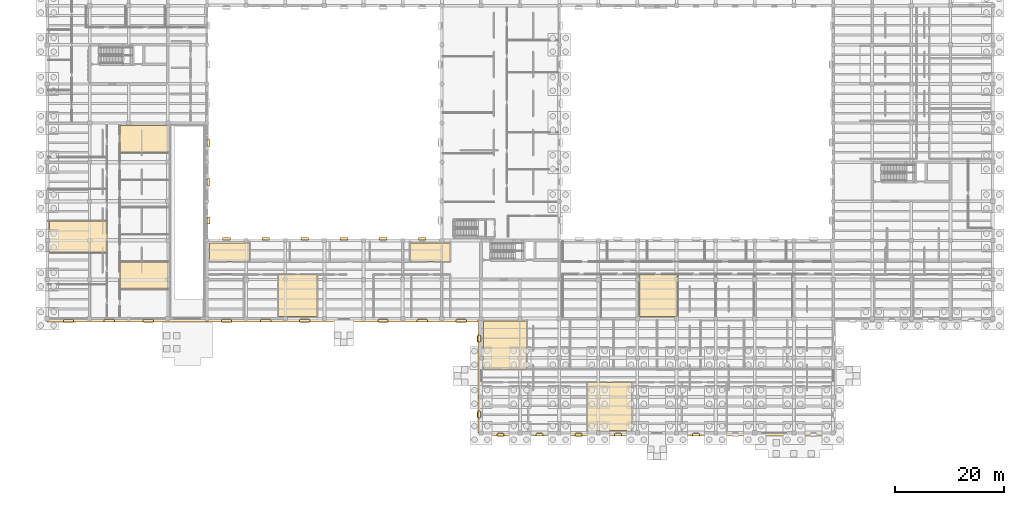
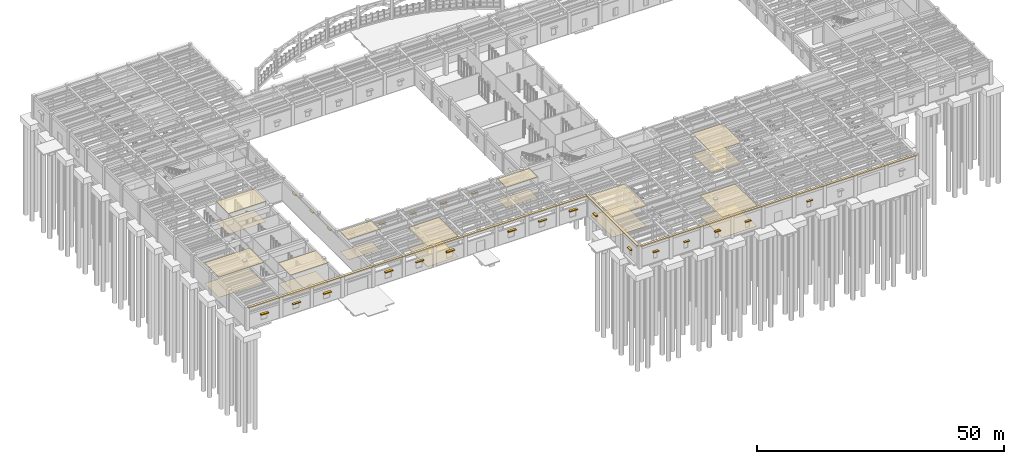
# One storey, part 90 of 100: 47 coverings, 10 shading devices.
"""IFC4 building model written with IfcOpenShell, lengths in metres."""

from ifc_helpers import new_model, si_unit, direction, frame, origin, origin_2d, place, context, subcontext, project, spatial, polyline, rectangle, outline, extrude, material, layer, layer_set, type_object, element, save


model = new_model("IFC4")

# Units and contexts
model_context = context("Model", 3, precision=1e-05, world=origin(), true_north=direction((0.0, 1.0)))
body_context = subcontext(model_context, "Body", "Model", "MODEL_VIEW")
ifc_project = project(units=[si_unit("LENGTHUNIT", "METRE"), si_unit("AREAUNIT", "SQUARE_METRE"), si_unit("VOLUMEUNIT", "CUBIC_METRE"), si_unit("PLANEANGLEUNIT", "RADIAN"), si_unit("MASSUNIT", "GRAM", prefix="KILO")], contexts=[model_context])

# Site, building, storey
site_placement = place(None, origin())
site = spatial("IfcSite", under=ifc_project, at=site_placement, CompositionType="ELEMENT")
building_placement = place(site_placement, origin())
building = spatial("IfcBuilding", under=site, at=building_placement, Name="Mithqara Police Headquarters", CompositionType="ELEMENT")
storey_placement = place(building_placement, origin())
storey = spatial("IfcBuildingStorey", under=building, at=storey_placement, Name="L00", CompositionType="ELEMENT", Elevation=0.0)

# Coverings
ifc_material_1 = material(Name="Acoustic mineral-fibre ceiling tile", Category="gypsum")
ifc_layer_1 = layer(ifc_material_1, 0.02490234375, Name="Acoustic mineral-fibre ceiling tile")
ifc_layer_set_1 = layer_set([ifc_layer_1], Name="Acoustic mineral-fibre ceiling tile")
covering_type_1 = type_object("IfcCoveringType", Name="ACOUSTIC CEILING TILE", PredefinedType="CEILING", material=ifc_layer_set_1)
covering_1_placement = place(storey_placement, frame((0.0, 0.0, 5.094970703125)))
element("IfcCovering", 1, at=covering_1_placement, inside=storey, type_object=covering_type_1, Name="First Aid Treatment Room Acoustic Ceiling", PredefinedType="CEILING", context=body_context, shape_type="SweptSolid", body=[
    extrude(outline(polyline([(0.43994140625, 33.159912109375), (10.969970703125, 33.159912109375), (10.969970703125, 38.97998046875), (0.43994140625, 38.97998046875), (0.43994140625, 33.159912109375)])), origin(), (0.0, 0.0, 1.0), 0.025146484375),
])
covering_2_placement = place(storey_placement, frame((0.0, 0.0, 5.094970703125)))
element("IfcCovering", 2, at=covering_2_placement, inside=storey, type_object=covering_type_1, Name="K9 Handler Readiness Room Acoustic Ceiling", PredefinedType="CEILING", context=body_context, shape_type="SweptSolid", body=[
    extrude(outline(polyline([(13.35009765625, 26.462890625), (22.179931640625, 26.462890625), (22.179931640625, 31.446044921875), (13.35009765625, 31.446044921875), (13.35009765625, 26.462890625)])), origin(), (0.0, 0.0, 1.0), 0.025146484375),
])
covering_3_placement = place(storey_placement, frame((0.0, 0.0, 5.094970703125)))
element("IfcCovering", 3, at=covering_3_placement, inside=storey, type_object=covering_type_1, Name="Tactical Equipment Room Acoustic Ceiling", PredefinedType="CEILING", context=body_context, shape_type="SweptSolid", body=[
    extrude(outline(polyline([(13.35009765625, 51.576904296875), (22.179931640625, 51.576904296875), (22.179931640625, 56.56005859375), (13.35009765625, 56.56005859375), (13.35009765625, 51.576904296875)])), origin(), (0.0, 0.0, 1.0), 0.025146484375),
])
covering_4_placement = place(storey_placement, frame((0.0, 0.0, 5.094970703125)))
element("IfcCovering", 4, at=covering_4_placement, inside=storey, type_object=covering_type_1, Name="Witness Reception Room Acoustic Ceiling", PredefinedType="CEILING", context=body_context, shape_type="SweptSolid", body=[
    extrude(outline(polyline([(108.964111328125, 21.43994140625), (115.970947265625, 21.43994140625), (115.970947265625, 29.1298828125), (108.964111328125, 29.1298828125), (108.964111328125, 21.43994140625)])), origin(), (0.0, 0.0, 1.0), 0.025146484375),
])
covering_5_placement = place(storey_placement, frame((0.0, 0.0, 5.094970703125)))
element("IfcCovering", 5, at=covering_5_placement, inside=storey, type_object=covering_type_1, Name="Witness Reception Room Acoustic Ceiling", PredefinedType="CEILING", context=body_context, shape_type="SweptSolid", body=[
    extrude(outline(polyline([(42.506103515625, 21.43994140625), (49.64892578125, 21.43994140625), (49.64892578125, 29.1298828125), (42.506103515625, 29.1298828125), (42.506103515625, 21.43994140625)])), origin(), (0.0, 0.0, 1.0), 0.025146484375),
])
covering_6_placement = place(storey_placement, frame((0.0, 0.0, 5.094970703125)))
element("IfcCovering", 6, at=covering_6_placement, inside=storey, type_object=covering_type_1, Name="Victim Support Consultation Room Acoustic Ceiling", PredefinedType="CEILING", context=body_context, shape_type="SweptSolid", body=[
    extrude(outline(polyline([(29.840087890625, 31.510009765625), (37.18798828125, 31.510009765625), (37.18798828125, 34.9599609375), (29.840087890625, 34.9599609375), (29.840087890625, 31.510009765625)])), origin(), (0.0, 0.0, 1.0), 0.025146484375),
])
covering_7_placement = place(storey_placement, frame((0.0, 0.0, 5.094970703125)))
element("IfcCovering", 7, at=covering_7_placement, inside=storey, type_object=covering_type_1, Name="Lost and Found Counter Acoustic Ceiling", PredefinedType="CEILING", context=body_context, shape_type="SweptSolid", body=[
    extrude(outline(polyline([(66.781982421875, 31.510009765625), (74.1298828125, 31.510009765625), (74.1298828125, 34.9599609375), (66.781982421875, 34.9599609375), (66.781982421875, 31.510009765625)])), origin(), (0.0, 0.0, 1.0), 0.025146484375),
])
covering_8_placement = place(storey_placement, frame((0.0, 0.0, 5.094970703125)))
element("IfcCovering", 8, at=covering_8_placement, inside=storey, type_object=covering_type_1, Name="Custody Booking Desk Acoustic Ceiling", PredefinedType="CEILING", context=body_context, shape_type="SweptSolid", body=[
    extrude(outline(polyline([(99.364013671875, 0.43994140625), (107.611083984375, 0.43994140625), (107.611083984375, 9.31005859375), (99.364013671875, 9.31005859375), (99.364013671875, 0.43994140625)])), origin(), (0.0, 0.0, 1.0), 0.025146484375),
])
covering_9_placement = place(storey_placement, frame((0.0, 0.0, 5.094970703125)))
element("IfcCovering", 9, at=covering_9_placement, inside=storey, type_object=covering_type_1, Name="Custody Suite Acoustic Ceiling", PredefinedType="CEILING", context=body_context, shape_type="SweptSolid", body=[
    extrude(outline(polyline([(80.239990234375, 11.68994140625), (88.195068359375, 11.68994140625), (88.195068359375, 20.56005859375), (80.239990234375, 20.56005859375), (80.239990234375, 11.68994140625)])), origin(), (0.0, 0.0, 1.0), 0.025146484375),
])
ifc_material_2 = material(Name="Limestone ashlar masonry, 45 MPa", Category="masonry")
ifc_layer_2 = layer(ifc_material_2, 0.320068359375, Name="Limestone ashlar masonry, 45 MPa")
ifc_layer_set_2 = layer_set([ifc_layer_2], Name="Limestone ashlar masonry, 45 MPa")
covering_type_2 = type_object("IfcCoveringType", Name="CORNICE LIMESTONE", PredefinedType="CLADDING", material=ifc_layer_set_2)
covering_10_placement = place(storey_placement, frame((79.52001953125, 10.5, 5.1201171875), z_axis=(0.0, 0.0, 1.0), x_axis=(0.0, 1.0, 0.0)))
element("IfcCovering", 10, at=covering_10_placement, inside=storey, type_object=covering_type_2, Name="L00 Projecting Ottoman Limestone Eaves Cornice 1", PredefinedType="CLADDING", context=body_context, shape_type="SweptSolid", body=[
    extrude(rectangle(XDim=21.0, YDim=0.56005859375, at=origin_2d()), origin(), (0.0, 0.0, 1.0), 0.280029296875),
])
covering_11_placement = place(storey_placement, frame((112.199951171875, -0.280029296875, 5.1201171875), z_axis=(0.0, 0.0, 1.0), x_axis=(1.0, 0.0, 0.0)))
element("IfcCovering", 11, at=covering_11_placement, inside=storey, type_object=covering_type_2, Name="L00 Projecting Ottoman Limestone Eaves Cornice 2", PredefinedType="CLADDING", context=body_context, shape_type="SweptSolid", body=[
    extrude(rectangle(XDim=64.800048828125, YDim=0.56005859375, at=origin_2d()), origin(), (0.0, 0.0, 1.0), 0.280029296875),
])
covering_12_placement = place(storey_placement, frame((14.699951171875, 20.719970703125, 5.1201171875), z_axis=(0.0, 0.0, 1.0), x_axis=(1.0, 0.0, 0.0)))
element("IfcCovering", 12, at=covering_12_placement, inside=storey, type_object=covering_type_2, Name="L00 Projecting Ottoman Limestone Eaves Cornice 13", PredefinedType="CLADDING", context=body_context, shape_type="SweptSolid", body=[
    extrude(rectangle(XDim=29.39990234375, YDim=0.56005859375, at=origin_2d()), origin(), (0.0, 0.0, 1.0), 0.280029296875),
])
covering_13_placement = place(storey_placement, frame((54.60009765625, 20.719970703125, 5.1201171875), z_axis=(0.0, 0.0, 1.0), x_axis=(1.0, 0.0, 0.0)))
element("IfcCovering", 13, at=covering_13_placement, inside=storey, type_object=covering_type_2, Name="L00 Projecting Ottoman Limestone Eaves Cornice 14", PredefinedType="CLADDING", context=body_context, shape_type="SweptSolid", body=[
    extrude(rectangle(XDim=50.39990234375, YDim=0.56005859375, at=origin_2d()), origin(), (0.0, 0.0, 1.0), 0.280029296875),
])

# Shading devices
ifc_material_3 = material(Name="Bronze anodised aluminium 6063-T6", Category="aluminium")
shading_device_type = type_object("IfcShadingDeviceType", Name="SOLAR LOUVRE BRONZE", PredefinedType="JALOUSIE", material=ifc_material_3)
for number, where, z_axis, x_axis, name in (
    (14, (79.389892578125, 3.3798828125, 2.58984375), (0.0, 0.0, 1.0), (0.0, 1.0, 0.0), "L00 Window Solar Louvre Hood 1.1"),
    (15, (79.389892578125, 17.320068359375, 2.58984375), (0.0, 0.0, 1.0), (0.0, 1.0, 0.0), "L00 Window Solar Louvre Hood 1.3"),
    (16, (83.39990234375, -0.409912109375, 2.83984375), (0.0, 0.0, 1.0), (1.0, 0.0, 0.0), "L00 Window Solar Louvre Hood 2.1"),
    (17, (97.800048828125, -0.409912109375, 2.83984375), (0.0, 0.0, 1.0), (1.0, 0.0, 0.0), "L00 Window Solar Louvre Hood 2.3"),
):
    element("IfcShadingDevice", number, at=place(storey_placement, frame(where, z_axis=z_axis, x_axis=x_axis)), inside=storey, type_object=shading_device_type, Name=name, PredefinedType="JALOUSIE", context=body_context, shape_type="SweptSolid", body=[
        extrude(rectangle(XDim=1.14990234375, YDim=0.60009765625, at=origin_2d()), origin(), (0.0, 0.0, 1.0), 0.10009765625),
    ])
for number, where, z_axis, x_axis, name in (
    (18, (3.89990234375, 20.590087890625, 2.58984375), (0.0, 0.0, 1.0), (1.0, 0.0, 0.0), "L00 Window Solar Louvre Hood 17.1"),
    (19, (18.60009765625, 20.590087890625, 2.58984375), (0.0, 0.0, 1.0), (1.0, 0.0, 0.0), "L00 Window Solar Louvre Hood 17.3"),
    (20, (33.0, 20.590087890625, 2.83984375), (0.0, 0.0, 1.0), (1.0, 0.0, 0.0), "L00 Window Solar Louvre Hood 18.1"),
    (21, (47.39990234375, 20.590087890625, 2.83984375), (0.0, 0.0, 1.0), (1.0, 0.0, 0.0), "L00 Window Solar Louvre Hood 18.3"),
    (22, (61.800048828125, 20.590087890625, 2.83984375), (0.0, 0.0, 1.0), (1.0, 0.0, 0.0), "L00 Window Solar Louvre Hood 18.5"),
    (23, (76.199951171875, 20.590087890625, 2.83984375), (0.0, 0.0, 1.0), (1.0, 0.0, 0.0), "L00 Window Solar Louvre Hood 18.7"),
):
    element("IfcShadingDevice", number, at=place(storey_placement, frame(where, z_axis=z_axis, x_axis=x_axis)), inside=storey, type_object=shading_device_type, Name=name, PredefinedType="JALOUSIE", context=body_context, shape_type="SweptSolid", body=[
        extrude(rectangle(XDim=1.75, YDim=0.60009765625, at=origin_2d()), origin(), (0.0, 0.0, 1.0), 0.10009765625),
    ])

# Coverings
ifc_material_4 = material(Name="Polished limestone terrazzo flooring", Category="masonry")
ifc_layer_3 = layer(ifc_material_4, 0.02001953125, Name="Polished limestone terrazzo flooring")
ifc_layer_set_3 = layer_set([ifc_layer_3], Name="Polished limestone terrazzo flooring")
covering_type_3 = type_object("IfcCoveringType", Name="TERRAZZO FLOOR FINISH", PredefinedType="FLOORING", material=ifc_layer_set_3)
covering_14_placement = place(storey_placement, origin())
element("IfcCovering", 24, at=covering_14_placement, inside=storey, type_object=covering_type_3, Name="First Aid Treatment Room Terrazzo Floor Finish", PredefinedType="FLOORING", context=body_context, shape_type="SweptSolid", body=[
    extrude(outline(polyline([(0.43994140625, 33.159912109375), (10.969970703125, 33.159912109375), (10.969970703125, 38.97998046875), (0.43994140625, 38.97998046875), (0.43994140625, 33.159912109375)])), origin(), (0.0, 0.0, 1.0), 0.02001953125),
])
covering_15_placement = place(storey_placement, origin())
element("IfcCovering", 25, at=covering_15_placement, inside=storey, type_object=covering_type_3, Name="K9 Handler Readiness Room Terrazzo Floor Finish", PredefinedType="FLOORING", context=body_context, shape_type="SweptSolid", body=[
    extrude(outline(polyline([(13.35009765625, 26.462890625), (22.179931640625, 26.462890625), (22.179931640625, 31.446044921875), (13.35009765625, 31.446044921875), (13.35009765625, 26.462890625)])), origin(), (0.0, 0.0, 1.0), 0.02001953125),
])
covering_16_placement = place(storey_placement, origin())
element("IfcCovering", 26, at=covering_16_placement, inside=storey, type_object=covering_type_3, Name="Tactical Equipment Room Terrazzo Floor Finish", PredefinedType="FLOORING", context=body_context, shape_type="SweptSolid", body=[
    extrude(outline(polyline([(13.35009765625, 51.576904296875), (22.179931640625, 51.576904296875), (22.179931640625, 56.56005859375), (13.35009765625, 56.56005859375), (13.35009765625, 51.576904296875)])), origin(), (0.0, 0.0, 1.0), 0.02001953125),
])
covering_17_placement = place(storey_placement, origin())
element("IfcCovering", 27, at=covering_17_placement, inside=storey, type_object=covering_type_3, Name="Witness Reception Room Terrazzo Floor Finish", PredefinedType="FLOORING", context=body_context, shape_type="SweptSolid", body=[
    extrude(outline(polyline([(108.964111328125, 21.43994140625), (115.970947265625, 21.43994140625), (115.970947265625, 29.1298828125), (108.964111328125, 29.1298828125), (108.964111328125, 21.43994140625)])), origin(), (0.0, 0.0, 1.0), 0.02001953125),
])
covering_18_placement = place(storey_placement, origin())
element("IfcCovering", 28, at=covering_18_placement, inside=storey, type_object=covering_type_3, Name="Witness Reception Room Terrazzo Floor Finish", PredefinedType="FLOORING", context=body_context, shape_type="SweptSolid", body=[
    extrude(outline(polyline([(42.506103515625, 21.43994140625), (49.64892578125, 21.43994140625), (49.64892578125, 29.1298828125), (42.506103515625, 29.1298828125), (42.506103515625, 21.43994140625)])), origin(), (0.0, 0.0, 1.0), 0.02001953125),
])
covering_19_placement = place(storey_placement, origin())
element("IfcCovering", 29, at=covering_19_placement, inside=storey, type_object=covering_type_3, Name="Victim Support Consultation Room Terrazzo Floor Finish", PredefinedType="FLOORING", context=body_context, shape_type="SweptSolid", body=[
    extrude(outline(polyline([(29.840087890625, 31.510009765625), (37.18798828125, 31.510009765625), (37.18798828125, 34.9599609375), (29.840087890625, 34.9599609375), (29.840087890625, 31.510009765625)])), origin(), (0.0, 0.0, 1.0), 0.02001953125),
])
covering_20_placement = place(storey_placement, origin())
element("IfcCovering", 30, at=covering_20_placement, inside=storey, type_object=covering_type_3, Name="Lost and Found Counter Terrazzo Floor Finish", PredefinedType="FLOORING", context=body_context, shape_type="SweptSolid", body=[
    extrude(outline(polyline([(66.781982421875, 31.510009765625), (74.1298828125, 31.510009765625), (74.1298828125, 34.9599609375), (66.781982421875, 34.9599609375), (66.781982421875, 31.510009765625)])), origin(), (0.0, 0.0, 1.0), 0.02001953125),
])
covering_21_placement = place(storey_placement, origin())
element("IfcCovering", 31, at=covering_21_placement, inside=storey, type_object=covering_type_3, Name="Custody Booking Desk Terrazzo Floor Finish", PredefinedType="FLOORING", context=body_context, shape_type="SweptSolid", body=[
    extrude(outline(polyline([(99.364013671875, 0.43994140625), (107.611083984375, 0.43994140625), (107.611083984375, 9.31005859375), (99.364013671875, 9.31005859375), (99.364013671875, 0.43994140625)])), origin(), (0.0, 0.0, 1.0), 0.02001953125),
])
covering_22_placement = place(storey_placement, origin())
element("IfcCovering", 32, at=covering_22_placement, inside=storey, type_object=covering_type_3, Name="Custody Suite Terrazzo Floor Finish", PredefinedType="FLOORING", context=body_context, shape_type="SweptSolid", body=[
    extrude(outline(polyline([(80.239990234375, 11.68994140625), (88.195068359375, 11.68994140625), (88.195068359375, 20.56005859375), (80.239990234375, 20.56005859375), (80.239990234375, 11.68994140625)])), origin(), (0.0, 0.0, 1.0), 0.02001953125),
])
ifc_layer_4 = layer(ifc_material_2, 0.239990234375, Name="Limestone ashlar masonry, 45 MPa")
ifc_layer_set_4 = layer_set([ifc_layer_4], Name="Limestone ashlar masonry, 45 MPa")
covering_type_4 = type_object("IfcCoveringType", Name="WINDOW HOOD LIMESTONE", PredefinedType="CLADDING", material=ifc_layer_set_4)
for number, where, z_axis, x_axis, name in (
    (33, (79.449951171875, 3.3798828125, 2.3701171875), (0.0, 0.0, 1.0), (0.0, 1.0, 0.0), "L00 Limestone Window Architrave Hood 1.1"),
    (34, (79.449951171875, 17.320068359375, 2.3701171875), (0.0, 0.0, 1.0), (0.0, 1.0, 0.0), "L00 Limestone Window Architrave Hood 1.3"),
    (35, (83.39990234375, -0.35009765625, 2.6201171875), (0.0, 0.0, 1.0), (1.0, 0.0, 0.0), "L00 Limestone Window Architrave Hood 2.1"),
    (36, (90.60009765625, -0.35009765625, 2.6201171875), (0.0, 0.0, 1.0), (1.0, 0.0, 0.0), "L00 Limestone Window Architrave Hood 2.2"),
    (37, (97.800048828125, -0.35009765625, 2.6201171875), (0.0, 0.0, 1.0), (1.0, 0.0, 0.0), "L00 Limestone Window Architrave Hood 2.3"),
    (38, (105.0, -0.35009765625, 2.6201171875), (0.0, 0.0, 1.0), (1.0, 0.0, 0.0), "L00 Limestone Window Architrave Hood 2.4"),
    (39, (119.39990234375, -0.35009765625, 2.6201171875), (0.0, 0.0, 1.0), (1.0, 0.0, 0.0), "L00 Limestone Window Architrave Hood 2.6"),
):
    element("IfcCovering", number, at=place(storey_placement, frame(where, z_axis=z_axis, x_axis=x_axis)), inside=storey, type_object=covering_type_4, Name=name, PredefinedType="CLADDING", context=body_context, shape_type="SweptSolid", body=[
        extrude(rectangle(XDim=1.2900390625, YDim=0.4599609375, at=origin_2d()), origin(), (0.0, 0.0, 1.0), 0.219970703125),
    ])
for number, where, z_axis, x_axis, name in (
    (40, (3.89990234375, 20.64990234375, 2.3701171875), (0.0, 0.0, 1.0), (1.0, 0.0, 0.0), "L00 Limestone Window Architrave Hood 17.1"),
    (41, (11.39990234375, 20.64990234375, 2.3701171875), (0.0, 0.0, 1.0), (1.0, 0.0, 0.0), "L00 Limestone Window Architrave Hood 17.2"),
    (42, (18.60009765625, 20.64990234375, 2.3701171875), (0.0, 0.0, 1.0), (1.0, 0.0, 0.0), "L00 Limestone Window Architrave Hood 17.3"),
    (43, (33.0, 20.64990234375, 2.6201171875), (0.0, 0.0, 1.0), (1.0, 0.0, 0.0), "L00 Limestone Window Architrave Hood 18.1"),
    (44, (40.199951171875, 20.64990234375, 2.6201171875), (0.0, 0.0, 1.0), (1.0, 0.0, 0.0), "L00 Limestone Window Architrave Hood 18.2"),
    (45, (47.39990234375, 20.64990234375, 2.6201171875), (0.0, 0.0, 1.0), (1.0, 0.0, 0.0), "L00 Limestone Window Architrave Hood 18.3"),
    (46, (61.800048828125, 20.64990234375, 2.6201171875), (0.0, 0.0, 1.0), (1.0, 0.0, 0.0), "L00 Limestone Window Architrave Hood 18.5"),
    (47, (69.0, 20.64990234375, 2.6201171875), (0.0, 0.0, 1.0), (1.0, 0.0, 0.0), "L00 Limestone Window Architrave Hood 18.6"),
    (48, (76.199951171875, 20.64990234375, 2.6201171875), (0.0, 0.0, 1.0), (1.0, 0.0, 0.0), "L00 Limestone Window Architrave Hood 18.7"),
):
    element("IfcCovering", number, at=place(storey_placement, frame(where, z_axis=z_axis, x_axis=x_axis)), inside=storey, type_object=covering_type_4, Name=name, PredefinedType="CLADDING", context=body_context, shape_type="SweptSolid", body=[
        extrude(rectangle(XDim=1.889892578125, YDim=0.4599609375, at=origin_2d()), origin(), (0.0, 0.0, 1.0), 0.219970703125),
    ])
for number, where, z_axis, x_axis, name in (
    (49, (29.75, 39.080078125, 3.1201171875), (0.0, 0.0, 1.0), (0.0, 1.0, 0.0), "L00 Limestone Window Architrave Hood 1.1"),
    (50, (29.75, 46.199951171875, 3.1201171875), (0.0, 0.0, 1.0), (0.0, 1.0, 0.0), "L00 Limestone Window Architrave Hood 1.2"),
    (51, (29.75, 53.320068359375, 3.1201171875), (0.0, 0.0, 1.0), (0.0, 1.0, 0.0), "L00 Limestone Window Architrave Hood 1.3"),
):
    element("IfcCovering", number, at=place(storey_placement, frame(where, z_axis=z_axis, x_axis=x_axis)), inside=storey, type_object=covering_type_4, Name=name, PredefinedType="CLADDING", context=body_context, shape_type="SweptSolid", body=[
        extrude(rectangle(XDim=1.2900390625, YDim=0.4599609375, at=origin_2d()), origin(), (0.0, 0.0, 1.0), 0.219970703125),
    ])
for number, where, z_axis, x_axis, name in (
    (52, (33.0, 35.75, 2.8701171875), (0.0, 0.0, 1.0), (1.0, 0.0, 0.0), "L00 Limestone Window Architrave Hood 5.1"),
    (53, (40.199951171875, 35.75, 2.8701171875), (0.0, 0.0, 1.0), (1.0, 0.0, 0.0), "L00 Limestone Window Architrave Hood 5.2"),
    (54, (47.39990234375, 35.75, 2.8701171875), (0.0, 0.0, 1.0), (1.0, 0.0, 0.0), "L00 Limestone Window Architrave Hood 5.3"),
    (55, (54.60009765625, 35.75, 2.8701171875), (0.0, 0.0, 1.0), (1.0, 0.0, 0.0), "L00 Limestone Window Architrave Hood 5.4"),
    (56, (61.800048828125, 35.75, 2.8701171875), (0.0, 0.0, 1.0), (1.0, 0.0, 0.0), "L00 Limestone Window Architrave Hood 5.5"),
    (57, (69.0, 35.75, 2.8701171875), (0.0, 0.0, 1.0), (1.0, 0.0, 0.0), "L00 Limestone Window Architrave Hood 5.6"),
):
    element("IfcCovering", number, at=place(storey_placement, frame(where, z_axis=z_axis, x_axis=x_axis)), inside=storey, type_object=covering_type_4, Name=name, PredefinedType="CLADDING", context=body_context, shape_type="SweptSolid", body=[
        extrude(rectangle(XDim=1.43994140625, YDim=0.4599609375, at=origin_2d()), origin(), (0.0, 0.0, 1.0), 0.219970703125),
    ])

save(model, "model.ifc")
